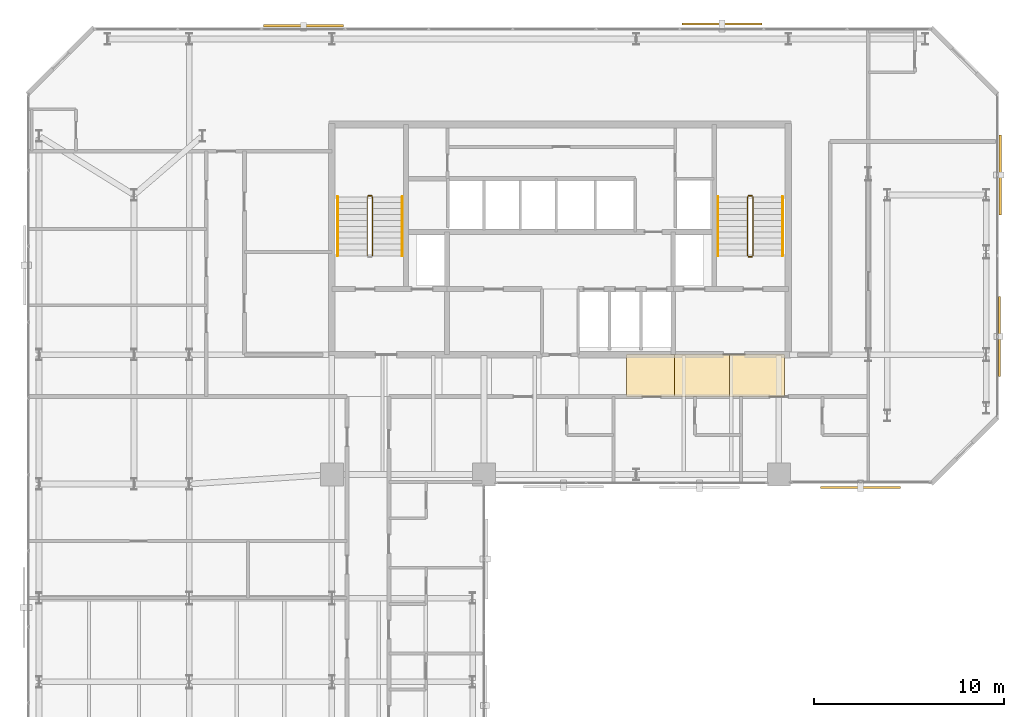
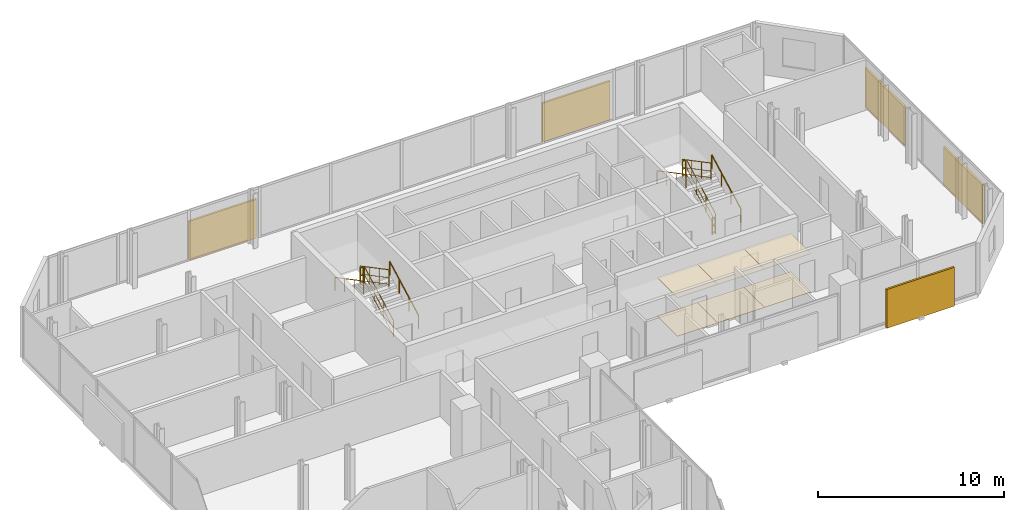
# One storey, part 32 of 32: 11 railings, 6 coverings, 5 shading devices.
"""IFC4 building model written with IfcOpenShell, lengths in metres."""

from ifc_helpers import new_model, si_unit, direction, frame, origin, origin_2d, place, context, subcontext, project, spatial, polyline, rectangle, circle, outline, extrude, material, layer, layer_set, type_object, element, save


model = new_model("IFC4")

# Units and contexts
model_context = context("Model", 3, precision=1e-05, world=origin(), true_north=direction((0.0, 1.0)))
body_context = subcontext(model_context, "Body", "Model", "MODEL_VIEW")
ifc_project = project(units=[si_unit("LENGTHUNIT", "METRE"), si_unit("AREAUNIT", "SQUARE_METRE"), si_unit("VOLUMEUNIT", "CUBIC_METRE"), si_unit("PLANEANGLEUNIT", "RADIAN"), si_unit("MASSUNIT", "GRAM", prefix="KILO")], contexts=[model_context])

# Site, building, storey
site_placement = place(None, origin())
site = spatial("IfcSite", under=ifc_project, at=site_placement, CompositionType="ELEMENT")
building_placement = place(site_placement, origin())
building = spatial("IfcBuilding", under=site, at=building_placement, Name="Catumbela Crestline Tower", CompositionType="ELEMENT")
storey_placement = place(building_placement, frame((0.0, 0.0, 136.8)))
storey = spatial("IfcBuildingStorey", under=building, at=storey_placement, Name="L35", CompositionType="ELEMENT", Elevation=136.8)

# Coverings
ifc_material_1 = material(Name="Mineral-fibre acoustic ceiling")
ifc_layer_1 = layer(ifc_material_1, 0.03, Name="Mineral-fibre acoustic ceiling")
ifc_layer_set_1 = layer_set([ifc_layer_1], Name="Mineral-fibre acoustic ceiling")
covering_type_1 = type_object("IfcCoveringType", Name="CC-AC", PredefinedType="CEILING", material=ifc_layer_set_1)
covering_1_placement = place(storey_placement, frame((0.0, 0.0, 2.52)))
element("IfcCovering", 1, at=covering_1_placement, inside=storey, type_object=covering_type_1, Name="L35 Corridor Acoustic Ceiling Bay 6", PredefinedType="CEILING", context=body_context, shape_type="SweptSolid", body=[
    extrude(outline(polyline([(31.5, 28.6), (34.0, 28.6), (34.0, 30.8), (31.5, 30.8), (31.5, 28.6)])), origin(), (0.0, 0.0, 1.0), 0.03),
])
covering_2_placement = place(storey_placement, frame((0.0, 0.0, 2.52)))
element("IfcCovering", 2, at=covering_2_placement, inside=storey, type_object=covering_type_1, Name="L35 Corridor Acoustic Ceiling Bay 7", PredefinedType="CEILING", context=body_context, shape_type="SweptSolid", body=[
    extrude(outline(polyline([(34.0, 28.6), (36.9, 28.6), (36.9, 30.8), (34.0, 30.8), (34.0, 28.6)])), origin(), (0.0, 0.0, 1.0), 0.03),
])
covering_3_placement = place(storey_placement, frame((0.0, 0.0, 2.52)))
element("IfcCovering", 3, at=covering_3_placement, inside=storey, type_object=covering_type_1, Name="L35 Corridor Acoustic Ceiling Bay 8", PredefinedType="CEILING", context=body_context, shape_type="SweptSolid", body=[
    extrude(outline(polyline([(36.9, 28.6), (39.8, 28.6), (39.8, 30.8), (36.9, 30.8), (36.9, 28.6)])), origin(), (0.0, 0.0, 1.0), 0.03),
])
ifc_material_2 = material(Name="Angolan grey-ochre granite", Category="masonry")
ifc_layer_2 = layer(ifc_material_2, 0.025, Name="Angolan grey-ochre granite")
ifc_layer_set_2 = layer_set([ifc_layer_2], Name="Angolan grey-ochre granite")
covering_type_2 = type_object("IfcCoveringType", Name="CF-GR", PredefinedType="FLOORING", material=ifc_layer_set_2)
covering_4_placement = place(storey_placement, origin())
element("IfcCovering", 4, at=covering_4_placement, inside=storey, type_object=covering_type_2, Name="L35 Corridor Granite Flooring Bay 6", PredefinedType="FLOORING", context=body_context, shape_type="SweptSolid", body=[
    extrude(outline(polyline([(31.5, 28.6), (34.0, 28.6), (34.0, 30.8), (31.5, 30.8), (31.5, 28.6)])), origin(), (0.0, 0.0, 1.0), 0.025),
])
covering_5_placement = place(storey_placement, origin())
element("IfcCovering", 5, at=covering_5_placement, inside=storey, type_object=covering_type_2, Name="L35 Corridor Granite Flooring Bay 7", PredefinedType="FLOORING", context=body_context, shape_type="SweptSolid", body=[
    extrude(outline(polyline([(34.0, 28.6), (36.9, 28.6), (36.9, 30.8), (34.0, 30.8), (34.0, 28.6)])), origin(), (0.0, 0.0, 1.0), 0.025),
])
covering_6_placement = place(storey_placement, origin())
element("IfcCovering", 6, at=covering_6_placement, inside=storey, type_object=covering_type_2, Name="L35 Corridor Granite Flooring Bay 8", PredefinedType="FLOORING", context=body_context, shape_type="SweptSolid", body=[
    extrude(outline(polyline([(36.9, 28.6), (39.8, 28.6), (39.8, 30.8), (36.9, 30.8), (36.9, 28.6)])), origin(), (0.0, 0.0, 1.0), 0.025),
])

# Railings
ifc_material_3 = material(Name="Stainless steel EN 1.4401", Category="steel")
railing_type_1 = type_object("IfcRailingType", Name="RG-1100", PredefinedType="GUARDRAIL", material=ifc_material_3)
railing_1_placement = place(storey_placement, frame((18.14, 36.0, 0.1636)))
element("IfcRailing", 7, at=railing_1_placement, inside=storey, type_object=railing_type_1, Name="L35 ST-01 stair guard 1", PredefinedType="GUARDRAIL", context=body_context, shape_type="SweptSolid", body=[
    extrude(circle(Radius=0.024, at=origin_2d()), frame((0.0, 0.0, 1.076), z_axis=(0.0, 0.884350731049, 0.466823076222), x_axis=(-1.0, 0.0, 0.0)), (0.0, 0.0, 1.0), 3.5054),
    extrude(circle(Radius=0.0156, at=origin_2d()), frame((0.0, 0.0, 0.55), z_axis=(0.0, 0.884350731049, 0.466823076222), x_axis=(-1.0, 0.0, 0.0)), (0.0, 0.0, 1.0), 3.5054),
    extrude(circle(Radius=0.0156, at=origin_2d()), frame((0.0, 0.0, 0.12), z_axis=(0.0, 0.884350731049, 0.466823076222), x_axis=(-1.0, 0.0, 0.0)), (0.0, 0.0, 1.0), 3.5054),
    extrude(circle(Radius=0.021, at=origin_2d()), origin(), (0.0, 0.0, 1.0), 1.052),
    extrude(circle(Radius=0.021, at=origin_2d()), frame((0.0, 1.0333, 0.5455)), (0.0, 0.0, 1.0), 1.052),
    extrude(circle(Radius=0.021, at=origin_2d()), frame((0.0, 2.0667, 1.0909)), (0.0, 0.0, 1.0), 1.052),
    extrude(circle(Radius=0.021, at=origin_2d()), frame((0.0, 3.1, 1.6364)), (0.0, 0.0, 1.0), 1.052),
])
railing_2_placement = place(storey_placement, frame((18.09, 39.15, 1.8)))
element("IfcRailing", 8, at=railing_2_placement, inside=storey, type_object=railing_type_1, Name="L35 ST-01 stair guard 2", PredefinedType="GUARDRAIL", context=body_context, shape_type="SweptSolid", body=[
    extrude(circle(Radius=0.024, at=origin_2d()), frame((0.0, 0.0, 1.076), z_axis=(-1.0, 0.0, 0.0), x_axis=(0.0, -1.0, 0.0)), (0.0, 0.0, 1.0), 0.18),
    extrude(circle(Radius=0.0156, at=origin_2d()), frame((0.0, 0.0, 0.55), z_axis=(-1.0, 0.0, 0.0), x_axis=(0.0, -1.0, 0.0)), (0.0, 0.0, 1.0), 0.18),
    extrude(circle(Radius=0.0156, at=origin_2d()), frame((0.0, 0.0, 0.12), z_axis=(-1.0, 0.0, 0.0), x_axis=(0.0, -1.0, 0.0)), (0.0, 0.0, 1.0), 0.18),
    extrude(circle(Radius=0.021, at=origin_2d()), origin(), (0.0, 0.0, 1.0), 1.052),
    extrude(circle(Radius=0.021, at=origin_2d()), frame((-0.18, 0.0, 0.0)), (0.0, 0.0, 1.0), 1.052),
])
railing_3_placement = place(storey_placement, frame((17.86, 39.1, 1.9636)))
element("IfcRailing", 9, at=railing_3_placement, inside=storey, type_object=railing_type_1, Name="L35 ST-01 stair guard 3", PredefinedType="GUARDRAIL", context=body_context, shape_type="SweptSolid", body=[
    extrude(circle(Radius=0.024, at=origin_2d()), frame((0.0, 0.0, 1.076), z_axis=(0.0, -0.884350731049, 0.466823076222), x_axis=(1.0, 0.0, 0.0)), (0.0, 0.0, 1.0), 3.5054),
    extrude(circle(Radius=0.0156, at=origin_2d()), frame((0.0, 0.0, 0.55), z_axis=(0.0, -0.884350731049, 0.466823076222), x_axis=(1.0, 0.0, 0.0)), (0.0, 0.0, 1.0), 3.5054),
    extrude(circle(Radius=0.0156, at=origin_2d()), frame((0.0, 0.0, 0.12), z_axis=(0.0, -0.884350731049, 0.466823076222), x_axis=(1.0, 0.0, 0.0)), (0.0, 0.0, 1.0), 3.5054),
    extrude(circle(Radius=0.021, at=origin_2d()), origin(), (0.0, 0.0, 1.0), 1.052),
    extrude(circle(Radius=0.021, at=origin_2d()), frame((0.0, -1.0333, 0.5455)), (0.0, 0.0, 1.0), 1.052),
    extrude(circle(Radius=0.021, at=origin_2d()), frame((0.0, -2.0667, 1.0909)), (0.0, 0.0, 1.0), 1.052),
    extrude(circle(Radius=0.021, at=origin_2d()), frame((0.0, -3.1, 1.6364)), (0.0, 0.0, 1.0), 1.052),
])
railing_4_placement = place(storey_placement, frame((38.14, 36.0, 0.1636)))
element("IfcRailing", 10, at=railing_4_placement, inside=storey, type_object=railing_type_1, Name="L35 ST-02 stair guard 1", PredefinedType="GUARDRAIL", context=body_context, shape_type="SweptSolid", body=[
    extrude(circle(Radius=0.024, at=origin_2d()), frame((0.0, 0.0, 1.076), z_axis=(0.0, 0.884350731049, 0.466823076222), x_axis=(-1.0, 0.0, 0.0)), (0.0, 0.0, 1.0), 3.5054),
    extrude(circle(Radius=0.0156, at=origin_2d()), frame((0.0, 0.0, 0.55), z_axis=(0.0, 0.884350731049, 0.466823076222), x_axis=(-1.0, 0.0, 0.0)), (0.0, 0.0, 1.0), 3.5054),
    extrude(circle(Radius=0.0156, at=origin_2d()), frame((0.0, 0.0, 0.12), z_axis=(0.0, 0.884350731049, 0.466823076222), x_axis=(-1.0, 0.0, 0.0)), (0.0, 0.0, 1.0), 3.5054),
    extrude(circle(Radius=0.021, at=origin_2d()), origin(), (0.0, 0.0, 1.0), 1.052),
    extrude(circle(Radius=0.021, at=origin_2d()), frame((0.0, 1.0333, 0.5455)), (0.0, 0.0, 1.0), 1.052),
    extrude(circle(Radius=0.021, at=origin_2d()), frame((0.0, 2.0667, 1.0909)), (0.0, 0.0, 1.0), 1.052),
    extrude(circle(Radius=0.021, at=origin_2d()), frame((0.0, 3.1, 1.6364)), (0.0, 0.0, 1.0), 1.052),
])
railing_5_placement = place(storey_placement, frame((38.09, 39.15, 1.8)))
element("IfcRailing", 11, at=railing_5_placement, inside=storey, type_object=railing_type_1, Name="L35 ST-02 stair guard 2", PredefinedType="GUARDRAIL", context=body_context, shape_type="SweptSolid", body=[
    extrude(circle(Radius=0.024, at=origin_2d()), frame((0.0, 0.0, 1.076), z_axis=(-1.0, 0.0, 0.0), x_axis=(0.0, -1.0, 0.0)), (0.0, 0.0, 1.0), 0.18),
    extrude(circle(Radius=0.0156, at=origin_2d()), frame((0.0, 0.0, 0.55), z_axis=(-1.0, 0.0, 0.0), x_axis=(0.0, -1.0, 0.0)), (0.0, 0.0, 1.0), 0.18),
    extrude(circle(Radius=0.0156, at=origin_2d()), frame((0.0, 0.0, 0.12), z_axis=(-1.0, 0.0, 0.0), x_axis=(0.0, -1.0, 0.0)), (0.0, 0.0, 1.0), 0.18),
    extrude(circle(Radius=0.021, at=origin_2d()), origin(), (0.0, 0.0, 1.0), 1.052),
    extrude(circle(Radius=0.021, at=origin_2d()), frame((-0.18, 0.0, 0.0)), (0.0, 0.0, 1.0), 1.052),
])
railing_6_placement = place(storey_placement, frame((37.86, 39.1, 1.9636)))
element("IfcRailing", 12, at=railing_6_placement, inside=storey, type_object=railing_type_1, Name="L35 ST-02 stair guard 3", PredefinedType="GUARDRAIL", context=body_context, shape_type="SweptSolid", body=[
    extrude(circle(Radius=0.024, at=origin_2d()), frame((0.0, 0.0, 1.076), z_axis=(0.0, -0.884350731049, 0.466823076222), x_axis=(1.0, 0.0, 0.0)), (0.0, 0.0, 1.0), 3.5054),
    extrude(circle(Radius=0.0156, at=origin_2d()), frame((0.0, 0.0, 0.55), z_axis=(0.0, -0.884350731049, 0.466823076222), x_axis=(1.0, 0.0, 0.0)), (0.0, 0.0, 1.0), 3.5054),
    extrude(circle(Radius=0.0156, at=origin_2d()), frame((0.0, 0.0, 0.12), z_axis=(0.0, -0.884350731049, 0.466823076222), x_axis=(1.0, 0.0, 0.0)), (0.0, 0.0, 1.0), 3.5054),
    extrude(circle(Radius=0.021, at=origin_2d()), origin(), (0.0, 0.0, 1.0), 1.052),
    extrude(circle(Radius=0.021, at=origin_2d()), frame((0.0, -1.0333, 0.5455)), (0.0, 0.0, 1.0), 1.052),
    extrude(circle(Radius=0.021, at=origin_2d()), frame((0.0, -2.0667, 1.0909)), (0.0, 0.0, 1.0), 1.052),
    extrude(circle(Radius=0.021, at=origin_2d()), frame((0.0, -3.1, 1.6364)), (0.0, 0.0, 1.0), 1.052),
])
railing_7_placement = place(storey_placement, frame((38.09, 35.95, 0.0)))
element("IfcRailing", 13, at=railing_7_placement, inside=storey, type_object=railing_type_1, Name="L35 ST-02 stair guard 4", PredefinedType="GUARDRAIL", context=body_context, shape_type="SweptSolid", body=[
    extrude(circle(Radius=0.024, at=origin_2d()), frame((0.0, 0.0, 1.076), z_axis=(-1.0, 0.0, 0.0), x_axis=(0.0, -1.0, 0.0)), (0.0, 0.0, 1.0), 0.18),
    extrude(circle(Radius=0.0156, at=origin_2d()), frame((0.0, 0.0, 0.55), z_axis=(-1.0, 0.0, 0.0), x_axis=(0.0, -1.0, 0.0)), (0.0, 0.0, 1.0), 0.18),
    extrude(circle(Radius=0.0156, at=origin_2d()), frame((0.0, 0.0, 0.12), z_axis=(-1.0, 0.0, 0.0), x_axis=(0.0, -1.0, 0.0)), (0.0, 0.0, 1.0), 0.18),
    extrude(circle(Radius=0.021, at=origin_2d()), origin(), (0.0, 0.0, 1.0), 1.052),
    extrude(circle(Radius=0.021, at=origin_2d()), frame((-0.18, 0.0, 0.0)), (0.0, 0.0, 1.0), 1.052),
])
railing_type_2 = type_object("IfcRailingType", Name="RH-0900", PredefinedType="HANDRAIL", material=ifc_material_3)
railing_8_placement = place(storey_placement, frame((19.7, 36.0, 0.1636)))
element("IfcRailing", 14, at=railing_8_placement, inside=storey, type_object=railing_type_2, Name="L35 ST-01 stair handrail 1", PredefinedType="HANDRAIL", context=body_context, shape_type="SweptSolid", body=[
    extrude(circle(Radius=0.024, at=origin_2d()), frame((0.0, 0.0, 0.876), z_axis=(0.0, 0.884350731049, 0.466823076222), x_axis=(-1.0, 0.0, 0.0)), (0.0, 0.0, 1.0), 3.5054),
    extrude(circle(Radius=0.021, at=origin_2d()), origin(), (0.0, 0.0, 1.0), 0.852),
    extrude(circle(Radius=0.021, at=origin_2d()), frame((0.0, 1.0333, 0.5455)), (0.0, 0.0, 1.0), 0.852),
    extrude(circle(Radius=0.021, at=origin_2d()), frame((0.0, 2.0667, 1.0909)), (0.0, 0.0, 1.0), 0.852),
    extrude(circle(Radius=0.021, at=origin_2d()), frame((0.0, 3.1, 1.6364)), (0.0, 0.0, 1.0), 0.852),
])
railing_9_placement = place(storey_placement, frame((16.3, 39.1, 1.9636)))
element("IfcRailing", 15, at=railing_9_placement, inside=storey, type_object=railing_type_2, Name="L35 ST-01 stair handrail 2", PredefinedType="HANDRAIL", context=body_context, shape_type="SweptSolid", body=[
    extrude(circle(Radius=0.024, at=origin_2d()), frame((0.0, 0.0, 0.876), z_axis=(0.0, -0.884350731049, 0.466823076222), x_axis=(1.0, 0.0, 0.0)), (0.0, 0.0, 1.0), 3.5054),
    extrude(circle(Radius=0.021, at=origin_2d()), origin(), (0.0, 0.0, 1.0), 0.852),
    extrude(circle(Radius=0.021, at=origin_2d()), frame((0.0, -1.0333, 0.5455)), (0.0, 0.0, 1.0), 0.852),
    extrude(circle(Radius=0.021, at=origin_2d()), frame((0.0, -2.0667, 1.0909)), (0.0, 0.0, 1.0), 0.852),
    extrude(circle(Radius=0.021, at=origin_2d()), frame((0.0, -3.1, 1.6364)), (0.0, 0.0, 1.0), 0.852),
])
railing_10_placement = place(storey_placement, frame((39.7, 36.0, 0.1636)))
element("IfcRailing", 16, at=railing_10_placement, inside=storey, type_object=railing_type_2, Name="L35 ST-02 stair handrail 1", PredefinedType="HANDRAIL", context=body_context, shape_type="SweptSolid", body=[
    extrude(circle(Radius=0.024, at=origin_2d()), frame((0.0, 0.0, 0.876), z_axis=(0.0, 0.884350731049, 0.466823076222), x_axis=(-1.0, 0.0, 0.0)), (0.0, 0.0, 1.0), 3.5054),
    extrude(circle(Radius=0.021, at=origin_2d()), origin(), (0.0, 0.0, 1.0), 0.852),
    extrude(circle(Radius=0.021, at=origin_2d()), frame((0.0, 1.0333, 0.5455)), (0.0, 0.0, 1.0), 0.852),
    extrude(circle(Radius=0.021, at=origin_2d()), frame((0.0, 2.0667, 1.0909)), (0.0, 0.0, 1.0), 0.852),
    extrude(circle(Radius=0.021, at=origin_2d()), frame((0.0, 3.1, 1.6364)), (0.0, 0.0, 1.0), 0.852),
])
railing_11_placement = place(storey_placement, frame((36.3, 39.1, 1.9636)))
element("IfcRailing", 17, at=railing_11_placement, inside=storey, type_object=railing_type_2, Name="L35 ST-02 stair handrail 2", PredefinedType="HANDRAIL", context=body_context, shape_type="SweptSolid", body=[
    extrude(circle(Radius=0.024, at=origin_2d()), frame((0.0, 0.0, 0.876), z_axis=(0.0, -0.884350731049, 0.466823076222), x_axis=(1.0, 0.0, 0.0)), (0.0, 0.0, 1.0), 3.5054),
    extrude(circle(Radius=0.021, at=origin_2d()), origin(), (0.0, 0.0, 1.0), 0.852),
    extrude(circle(Radius=0.021, at=origin_2d()), frame((0.0, -1.0333, 0.5455)), (0.0, 0.0, 1.0), 0.852),
    extrude(circle(Radius=0.021, at=origin_2d()), frame((0.0, -2.0667, 1.0909)), (0.0, 0.0, 1.0), 0.852),
    extrude(circle(Radius=0.021, at=origin_2d()), frame((0.0, -3.1, 1.6364)), (0.0, 0.0, 1.0), 0.852),
])

# Shading devices
ifc_material_4 = material(Name="Extruded terracotta ceramic", Category="masonry")
shading_device_type_1 = type_object("IfcShadingDeviceType", Name="ST-180", PredefinedType="USERDEFINED", material=ifc_material_4)
for number, where, z_axis, x_axis, name in (
    (18, (51.099, 31.75, -0.1), (0.0, 0.0, 1.0), (0.0, 1.0, 0.0), "L35 Perforated Terracotta Solar Screen 387 (180 mm)"),
    (19, (14.5, 48.099, -0.1), (0.0, 0.0, 1.0), (-1.0, 0.0, 0.0), "L35 Perforated Terracotta Solar Screen 390 (180 mm)"),
):
    element("IfcShadingDevice", number, at=place(storey_placement, frame(where, z_axis=z_axis, x_axis=x_axis)), inside=storey, type_object=shading_device_type_1, Name=name, ObjectType="SCREEN", PredefinedType="USERDEFINED", context=body_context, shape_type="SweptSolid", body=[
        extrude(rectangle(XDim=4.2, YDim=0.12, at=origin_2d()), origin(), (0.0, 0.0, 1.0), 2.55),
    ])
shading_device_type_2 = type_object("IfcShadingDeviceType", Name="ST-260", PredefinedType="USERDEFINED", material=ifc_material_4)
shading_device_placement = place(storey_placement, frame((51.143, 40.25, -0.1), z_axis=(0.0, 0.0, 1.0), x_axis=(0.0, 1.0, 0.0)))
element("IfcShadingDevice", 20, at=shading_device_placement, inside=storey, type_object=shading_device_type_2, Name="L35 Perforated Terracotta Solar Screen 388 (260 mm)", ObjectType="SCREEN", PredefinedType="USERDEFINED", context=body_context, shape_type="SweptSolid", body=[
    extrude(rectangle(XDim=4.2, YDim=0.12, at=origin_2d()), origin(), (0.0, 0.0, 1.0), 2.55),
])
shading_device_type_3 = type_object("IfcShadingDeviceType", Name="ST-340", PredefinedType="USERDEFINED", material=ifc_material_4)
for number, where, z_axis, x_axis, name in (
    (21, (43.8, 23.813, -0.1), (0.0, 0.0, 1.0), (1.0, 0.0, 0.0), "L35 Perforated Terracotta Solar Screen 386 (340 mm)"),
    (22, (36.5, 48.187, -0.1), (0.0, 0.0, 1.0), (-1.0, 0.0, 0.0), "L35 Perforated Terracotta Solar Screen 389 (340 mm)"),
):
    element("IfcShadingDevice", number, at=place(storey_placement, frame(where, z_axis=z_axis, x_axis=x_axis)), inside=storey, type_object=shading_device_type_3, Name=name, ObjectType="SCREEN", PredefinedType="USERDEFINED", context=body_context, shape_type="SweptSolid", body=[
        extrude(rectangle(XDim=4.2, YDim=0.12, at=origin_2d()), origin(), (0.0, 0.0, 1.0), 2.55),
    ])

save(model, "model.ifc")
